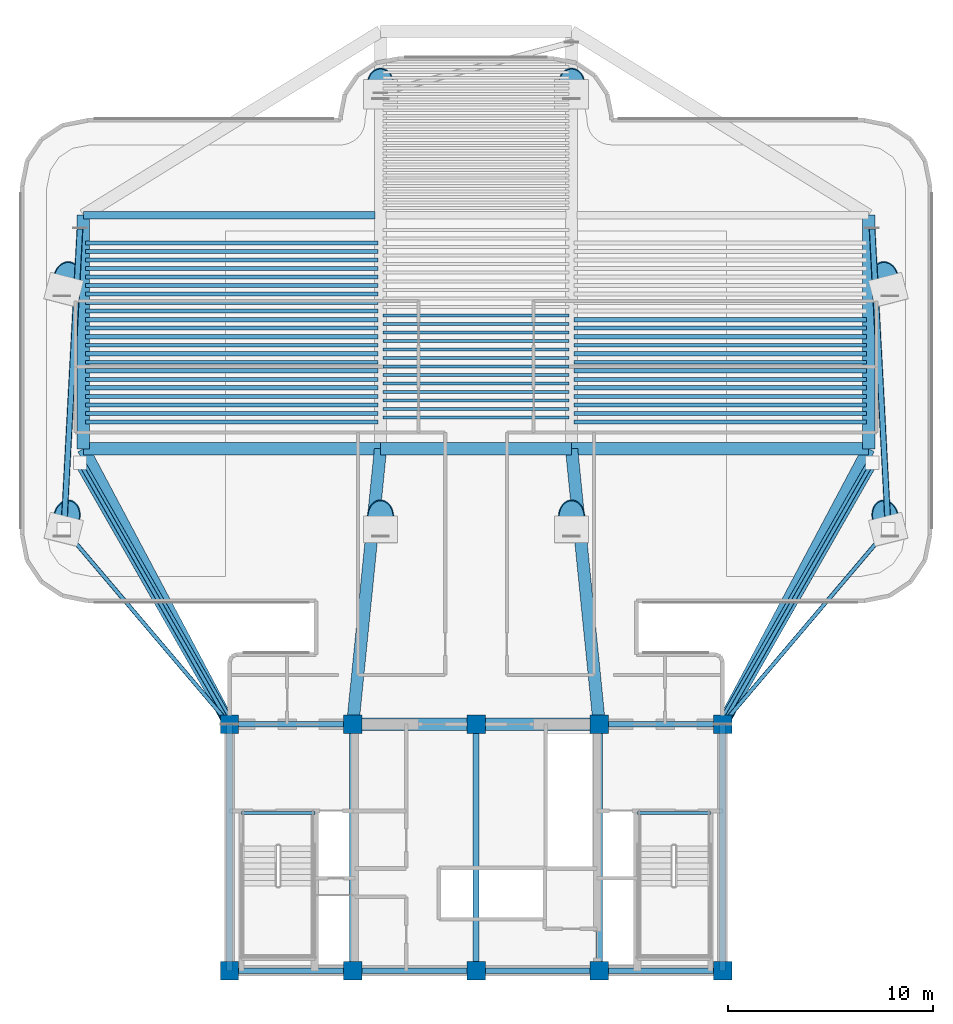
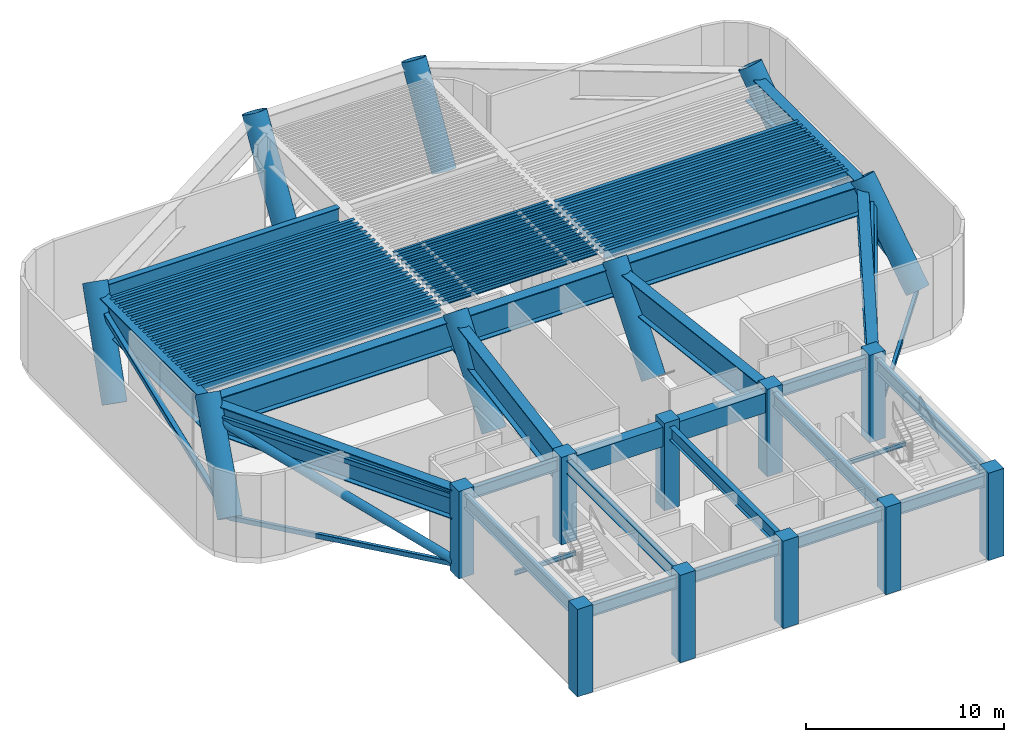
# One storey, part 1 of 10: 72 beams, 18 columns, 8 members.
"""IFC4 building model written with IfcOpenShell, lengths in metres."""

from ifc_helpers import new_model, si_unit, direction, frame, origin, origin_2d, place, context, subcontext, project, spatial, rectangle, hollow_rectangle, hollow_circle, i_section, extrude, source, transform, mapped, material, material_profile, profile_set, type_object, element, save


model = new_model("IFC4")

# Units and contexts
model_context = context("Model", 3, precision=1e-05, world=origin(), true_north=direction((0.0, 1.0)))
body_context = subcontext(model_context, "Body", "Model", "MODEL_VIEW")
ifc_project = project(units=[si_unit("LENGTHUNIT", "METRE"), si_unit("AREAUNIT", "SQUARE_METRE"), si_unit("VOLUMEUNIT", "CUBIC_METRE"), si_unit("PLANEANGLEUNIT", "RADIAN"), si_unit("MASSUNIT", "GRAM", prefix="KILO")], contexts=[model_context])

# Site, building, storey
site_placement = place(None, origin())
site = spatial("IfcSite", under=ifc_project, at=site_placement, CompositionType="ELEMENT")
building_placement = place(site_placement, origin())
building = spatial("IfcBuilding", under=site, at=building_placement, Name="Brelvock Crest Care Tower", CompositionType="ELEMENT")
storey_placement = place(building_placement, frame((0.0, 0.0, 146.52001953125)))
storey = spatial("IfcBuildingStorey", under=building, at=storey_placement, Name="L37", CompositionType="ELEMENT", Elevation=146.52001953125)

# Columns
ifc_material_1 = material(Name="Concrete S80 (80 MPa)", Category="concrete")
ifc_material_profile_1 = material_profile(ifc_material_1, rectangle(XDim=0.89990234375, YDim=0.89990234375, at=origin_2d()), Name="RC900x900")
ifc_profile_set_1 = profile_set([ifc_material_profile_1], Name="Concrete S80 (80 MPa)")
column_type_1 = type_object("IfcColumnType", Name="COL-RC2", PredefinedType="COLUMN", material=ifc_profile_set_1)
shared_shape_1 = source(origin(), body_context, "Body", "SweptSolid", [
    extrude(rectangle(XDim=0.89990234375, YDim=0.89990234375, at=origin_2d()), origin(), (0.0, 0.0, 1.0), 5.39990234375),
])
for number, where, z_axis, x_axis, name in (
    (1, (24.0, 6.0, 0.0), (0.0, 0.0, 1.0), (1.0, 0.0, 0.0), "L37 Core Column CC-01"),
    (2, (30.0, 6.0, 0.0), (0.0, 0.0, 1.0), (1.0, 0.0, 0.0), "L37 Core Column CC-02"),
    (3, (36.0, 6.0, 0.0), (0.0, 0.0, 1.0), (1.0, 0.0, 0.0), "L37 Core Column CC-03"),
    (4, (42.0, 6.0, 0.0), (0.0, 0.0, 1.0), (1.0, 0.0, 0.0), "L37 Core Column CC-04"),
    (5, (48.0, 6.0, 0.0), (0.0, 0.0, 1.0), (1.0, 0.0, 0.0), "L37 Core Column CC-05"),
    (6, (24.0, 18.0, 0.0), (0.0, 0.0, 1.0), (1.0, 0.0, 0.0), "L37 Core Column CC-06"),
    (7, (30.0, 18.0, 0.0), (0.0, 0.0, 1.0), (1.0, 0.0, 0.0), "L37 Core Column CC-07"),
    (8, (36.0, 18.0, 0.0), (0.0, 0.0, 1.0), (1.0, 0.0, 0.0), "L37 Core Column CC-08"),
    (9, (42.0, 18.0, 0.0), (0.0, 0.0, 1.0), (1.0, 0.0, 0.0), "L37 Core Column CC-09"),
    (10, (48.0, 18.0, 0.0), (0.0, 0.0, 1.0), (1.0, 0.0, 0.0), "L37 Core Column CC-10"),
):
    element("IfcColumn", number, at=place(storey_placement, frame(where, z_axis=z_axis, x_axis=x_axis)), inside=storey, type_object=column_type_1, Name=name, PredefinedType="COLUMN", context=body_context, shape_type="MappedRepresentation", body=[
        mapped(shared_shape_1, transform((0.0, 0.0, 0.0), x_axis=(1.0, 0.0, 0.0), y_axis=(0.0, 1.0, 0.0), z_axis=(0.0, 0.0, 1.0), scale=1.0)),
    ])
ifc_material_2 = material(Name="Steel Grade 350", Category="steel")
ifc_material_profile_2 = material_profile(ifc_material_2, hollow_circle(Radius=0.64990234375, WallThickness=0.044921875, at=origin_2d()), Name="CFT1300x45")
ifc_profile_set_2 = profile_set([ifc_material_profile_2], Name="Steel Grade 350")
column_type_2 = type_object("IfcColumnType", Name="COL-MC2", PredefinedType="COLUMN", material=ifc_profile_set_2)
shared_shape_2 = source(origin(), body_context, "Body", "SweptSolid", [
    extrude(hollow_circle(Radius=0.64990234375, WallThickness=0.044921875, at=origin_2d()), origin(), (0.0, 0.0, 1.0), 6.400634765625),
])
for number, where, z_axis, x_axis, name in (
    (11, (15.93212890625, 27.487548828125, 0.428466796875), (0.149100545965, 0.611964481829, 0.776703611536), (-0.971578452533, 0.236717786771, 0.0), "L37 Raked Mega-Column M1"),
    (12, (56.06787109375, 27.487548828125, 0.428466796875), (-0.149100545965, 0.611964481829, 0.776703611536), (-0.971578452533, -0.236717786771, 0.0), "L37 Raked Mega-Column M3"),
):
    element("IfcColumn", number, at=place(storey_placement, frame(where, z_axis=z_axis, x_axis=x_axis)), inside=storey, type_object=column_type_2, Name=name, PredefinedType="COLUMN", context=body_context, shape_type="MappedRepresentation", body=[
        mapped(shared_shape_2, transform((0.0, 0.0, 0.0), x_axis=(1.0, 0.0, 0.0), y_axis=(0.0, 1.0, 0.0), z_axis=(0.0, 0.0, 1.0), scale=1.0)),
    ])
shared_shape_3 = source(origin(), body_context, "Body", "SweptSolid", [
    extrude(hollow_circle(Radius=0.64990234375, WallThickness=0.044921875, at=origin_2d()), origin(), (0.0, 0.0, 1.0), 6.244384765625),
])
for number, where, z_axis, x_axis, name in (
    (13, (15.9287109375, 39.14794921875, 0.40966796875), (0.153380159115, 0.581225961103, 0.799156373265), (-0.96689991262, 0.255155950303, 0.0), "L37 Raked Mega-Column M2"),
    (14, (56.0712890625, 39.14794921875, 0.40966796875), (-0.153380159115, 0.581225961103, 0.799156373265), (-0.96689991262, -0.255155950303, 0.0), "L37 Raked Mega-Column M4"),
):
    element("IfcColumn", number, at=place(storey_placement, frame(where, z_axis=z_axis, x_axis=x_axis)), inside=storey, type_object=column_type_2, Name=name, PredefinedType="COLUMN", context=body_context, shape_type="MappedRepresentation", body=[
        mapped(shared_shape_3, transform((0.0, 0.0, 0.0), x_axis=(1.0, 0.0, 0.0), y_axis=(0.0, 1.0, 0.0), z_axis=(0.0, 0.0, 1.0), scale=1.0)),
    ])
shared_shape_4 = source(origin(), body_context, "Body", "SweptSolid", [
    extrude(hollow_circle(Radius=0.64990234375, WallThickness=0.044921875, at=origin_2d()), origin(), (0.0, 0.0, 1.0), 6.338134765625),
])
for number, where, z_axis, x_axis, name in (
    (15, (31.35009765625, 27.48193359375, 0.42138671875), (0.0, 0.618885910055, 0.785480891133), (-1.0, 0.0, 0.0), "L37 Raked Mega-Column M5"),
    (16, (40.64990234375, 27.48193359375, 0.42138671875), (0.0, 0.618885910055, 0.785480891133), (-1.0, 0.0, 0.0), "L37 Raked Mega-Column M6"),
):
    element("IfcColumn", number, at=place(storey_placement, frame(where, z_axis=z_axis, x_axis=x_axis)), inside=storey, type_object=column_type_2, Name=name, PredefinedType="COLUMN", context=body_context, shape_type="MappedRepresentation", body=[
        mapped(shared_shape_4, transform((0.0, 0.0, 0.0), x_axis=(1.0, 0.0, 0.0), y_axis=(0.0, 1.0, 0.0), z_axis=(0.0, 0.0, 1.0), scale=1.0)),
    ])
shared_shape_5 = source(origin(), body_context, "Body", "SweptSolid", [
    extrude(hollow_circle(Radius=0.64990234375, WallThickness=0.044921875, at=origin_2d()), origin(), (0.0, 0.0, 1.0), 5.89794921875),
])
for number, where, z_axis, x_axis, name in (
    (17, (31.35009765625, 48.665771484375, 0.35595703125), (0.0, 0.518295294297, 0.855201723519), (-1.0, 0.0, 0.0), "L37 Raked Mega-Column M7"),
    (18, (40.64990234375, 48.665771484375, 0.35595703125), (0.0, 0.518295294297, 0.855201723519), (-1.0, 0.0, 0.0), "L37 Raked Mega-Column M8"),
):
    element("IfcColumn", number, at=place(storey_placement, frame(where, z_axis=z_axis, x_axis=x_axis)), inside=storey, type_object=column_type_2, Name=name, PredefinedType="COLUMN", context=body_context, shape_type="MappedRepresentation", body=[
        mapped(shared_shape_5, transform((0.0, 0.0, 0.0), x_axis=(1.0, 0.0, 0.0), y_axis=(0.0, 1.0, 0.0), z_axis=(0.0, 0.0, 1.0), scale=1.0)),
    ])

# Beams
ifc_material_profile_3 = material_profile(ifc_material_1, rectangle(XDim=0.60009765625, YDim=1.199951171875, at=origin_2d()), Name="RC600x1200")
ifc_profile_set_3 = profile_set([ifc_material_profile_3], Name="Concrete S80 (80 MPa)")
beam_type_1 = type_object("IfcBeamType", Name="BM-LN1", PredefinedType="LINTEL", material=ifc_profile_set_3)
shared_shape_6 = source(origin(), body_context, "Body", "SweptSolid", [
    extrude(rectangle(XDim=0.60009765625, YDim=1.199951171875, at=origin_2d()), origin(), (0.0, 0.0, 1.0), 12.0),
])
beam_1_placement = place(storey_placement, frame((30.0, 18.0, 4.47998046875), z_axis=(1.0, 0.0, 0.0), x_axis=(0.0, 1.0, 0.0)))
element("IfcBeam", 19, at=beam_1_placement, inside=storey, type_object=beam_type_1, Name="L37 Core Coupling Lintel Beam", PredefinedType="LINTEL", context=body_context, shape_type="MappedRepresentation", body=[
    mapped(shared_shape_6, transform((0.0, 0.0, 0.0), x_axis=(1.0, 0.0, 0.0), y_axis=(0.0, 1.0, 0.0), z_axis=(0.0, 0.0, 1.0), scale=1.0)),
])
ifc_material_profile_4 = material_profile(ifc_material_2, i_section(OverallWidth=0.25, OverallDepth=0.699951171875, WebThickness=0.011962890625, FlangeThickness=0.02001953125, at=origin_2d()), Name="700WB150")
ifc_profile_set_4 = profile_set([ifc_material_profile_4], Name="Steel Grade 350")
beam_type_2 = type_object("IfcBeamType", Name="BM-G4", PredefinedType="BEAM", material=ifc_profile_set_4)
shared_shape_7 = source(origin(), body_context, "Body", "SweptSolid", [
    extrude(i_section(OverallWidth=0.25, OverallDepth=0.699951171875, WebThickness=0.011962890625, FlangeThickness=0.02001953125, at=origin_2d()), origin(), (0.0, 0.0, 1.0), 6.0),
])
for number, where, z_axis, x_axis, name in (
    (20, (24.0, 6.0, 4.72998046875), (1.0, 0.0, 0.0), (0.0, 1.0, 0.0), "BM-CORES-L37-1"),
    (21, (24.0, 18.0, 4.72998046875), (1.0, 0.0, 0.0), (0.0, 1.0, 0.0), "BM-COREN-L37-1"),
    (22, (30.0, 6.0, 4.72998046875), (1.0, 0.0, 0.0), (0.0, 1.0, 0.0), "BM-CORES-L37-2"),
    (23, (36.0, 6.0, 4.72998046875), (1.0, 0.0, 0.0), (0.0, 1.0, 0.0), "BM-CORES-L37-3"),
    (24, (42.0, 6.0, 4.72998046875), (1.0, 0.0, 0.0), (0.0, 1.0, 0.0), "BM-CORES-L37-4"),
    (25, (42.0, 18.0, 4.72998046875), (1.0, 0.0, 0.0), (0.0, 1.0, 0.0), "BM-COREN-L37-4"),
):
    element("IfcBeam", number, at=place(storey_placement, frame(where, z_axis=z_axis, x_axis=x_axis)), inside=storey, type_object=beam_type_2, Name=name, PredefinedType="BEAM", context=body_context, shape_type="MappedRepresentation", body=[
        mapped(shared_shape_7, transform((0.0, 0.0, 0.0), x_axis=(1.0, 0.0, 0.0), y_axis=(0.0, 1.0, 0.0), z_axis=(0.0, 0.0, 1.0), scale=1.0)),
    ])
ifc_material_profile_5 = material_profile(ifc_material_2, i_section(OverallWidth=0.300048828125, OverallDepth=0.800048828125, WebThickness=0.013916015625, FlangeThickness=0.02197265625, at=origin_2d()), Name="800WB192")
ifc_profile_set_5 = profile_set([ifc_material_profile_5], Name="Steel Grade 350")
beam_type_3 = type_object("IfcBeamType", Name="BM-G5", PredefinedType="BEAM", material=ifc_profile_set_5)
shared_shape_8 = source(origin(), body_context, "Body", "SweptSolid", [
    extrude(i_section(OverallWidth=0.300048828125, OverallDepth=0.800048828125, WebThickness=0.013916015625, FlangeThickness=0.02197265625, at=origin_2d()), origin(), (0.0, 0.0, 1.0), 12.0),
])
for number, where, z_axis, x_axis, name in (
    (26, (24.0, 6.0, 4.679931640625), (0.0, 1.0, 0.0), (-1.0, 0.0, 0.0), "BM-COREX-L37-1"),
    (27, (30.0, 6.0, 4.679931640625), (0.0, 1.0, 0.0), (-1.0, 0.0, 0.0), "BM-COREX-L37-2"),
    (28, (36.0, 6.0, 4.679931640625), (0.0, 1.0, 0.0), (-1.0, 0.0, 0.0), "BM-COREX-L37-3"),
    (29, (42.0, 6.0, 4.679931640625), (0.0, 1.0, 0.0), (-1.0, 0.0, 0.0), "BM-COREX-L37-4"),
    (30, (48.0, 6.0, 4.679931640625), (0.0, 1.0, 0.0), (-1.0, 0.0, 0.0), "BM-COREX-L37-5"),
):
    element("IfcBeam", number, at=place(storey_placement, frame(where, z_axis=z_axis, x_axis=x_axis)), inside=storey, type_object=beam_type_3, Name=name, PredefinedType="BEAM", context=body_context, shape_type="MappedRepresentation", body=[
        mapped(shared_shape_8, transform((0.0, 0.0, 0.0), x_axis=(1.0, 0.0, 0.0), y_axis=(0.0, 1.0, 0.0), z_axis=(0.0, 0.0, 1.0), scale=1.0)),
    ])
ifc_material_profile_6 = material_profile(ifc_material_2, i_section(OverallWidth=0.14599609375, OverallDepth=0.256103515625, WebThickness=0.00634765625, FlangeThickness=0.010986328125, FilletRadius=0.0087890625, at=origin_2d()), Name="250UB37.3")
ifc_profile_set_6 = profile_set([ifc_material_profile_6], Name="Steel Grade 350")
beam_type_4 = type_object("IfcBeamType", Name="BM-J3", PredefinedType="JOIST", material=ifc_profile_set_6)
shared_shape_9 = source(origin(), body_context, "Body", "SweptSolid", [
    extrude(i_section(OverallWidth=0.14599609375, OverallDepth=0.256103515625, WebThickness=0.00634765625, FlangeThickness=0.010986328125, FilletRadius=0.0087890625, at=origin_2d()), origin(), (0.0, 0.0, 1.0), 3.56982421875),
])
for number, where, z_axis, x_axis, name in (
    (31, (24.580078125, 13.679931640625, 2.3720703125), (1.0, 0.0, 0.0), (0.0, 1.0, 0.0), "BM-ST1L-L37"),
    (32, (43.85009765625, 13.679931640625, 2.3720703125), (1.0, 0.0, 0.0), (0.0, 1.0, 0.0), "BM-ST2L-L37"),
):
    element("IfcBeam", number, at=place(storey_placement, frame(where, z_axis=z_axis, x_axis=x_axis)), inside=storey, type_object=beam_type_4, Name=name, PredefinedType="JOIST", context=body_context, shape_type="MappedRepresentation", body=[
        mapped(shared_shape_9, transform((0.0, 0.0, 0.0), x_axis=(1.0, 0.0, 0.0), y_axis=(0.0, 1.0, 0.0), z_axis=(0.0, 0.0, 1.0), scale=1.0)),
    ])
ifc_material_profile_7 = material_profile(ifc_material_2, i_section(OverallWidth=0.60009765625, OverallDepth=1.800048828125, WebThickness=0.028076171875, FlangeThickness=0.052001953125, at=origin_2d()), Name="1800TG740")
ifc_profile_set_7 = profile_set([ifc_material_profile_7], Name="Steel Grade 350")
beam_type_5 = type_object("IfcBeamType", Name="BM-TG1", PredefinedType="USERDEFINED", material=ifc_profile_set_7)
shared_shape_10 = source(origin(), body_context, "Body", "SweptSolid", [
    extrude(i_section(OverallWidth=0.60009765625, OverallDepth=1.800048828125, WebThickness=0.028076171875, FlangeThickness=0.052001953125, at=origin_2d()), origin(), (0.0, 0.0, 1.0), 9.2998046875),
])
beam_2_placement = place(storey_placement, frame((31.35009765625, 31.404541015625, 4.179931640625), z_axis=(1.0, 0.0, 0.0), x_axis=(0.0, 1.0, 0.0)))
element("IfcBeam", 33, at=beam_2_placement, inside=storey, type_object=beam_type_5, Name="BM-TWR-L37-05", ObjectType="GIRDER", PredefinedType="USERDEFINED", context=body_context, shape_type="MappedRepresentation", body=[
    mapped(shared_shape_10, transform((0.0, 0.0, 0.0), x_axis=(1.0, 0.0, 0.0), y_axis=(0.0, 1.0, 0.0), z_axis=(0.0, 0.0, 1.0), scale=1.0)),
])
shared_shape_11 = source(origin(), body_context, "Body", "SweptSolid", [
    extrude(i_section(OverallWidth=0.14599609375, OverallDepth=0.256103515625, WebThickness=0.00634765625, FlangeThickness=0.010986328125, FilletRadius=0.0087890625, at=origin_2d()), origin(), (0.0, 0.0, 1.0), 9.06982421875),
])
for number, where, z_axis, x_axis, name in (
    (34, (31.465087890625, 32.919921875, 4.951904296875), (1.0, 0.0, 0.0), (0.0, 1.0, 0.0), "BM-JH-L37-3"),
    (35, (31.465087890625, 33.335205078125, 4.951904296875), (1.0, 0.0, 0.0), (0.0, 1.0, 0.0), "BM-JH-L37-4"),
    (36, (31.465087890625, 33.750244140625, 4.951904296875), (1.0, 0.0, 0.0), (0.0, 1.0, 0.0), "BM-JH-L37-5"),
    (37, (31.465087890625, 34.165283203125, 4.951904296875), (1.0, 0.0, 0.0), (0.0, 1.0, 0.0), "BM-JH-L37-6"),
    (38, (31.465087890625, 34.580322265625, 4.951904296875), (1.0, 0.0, 0.0), (0.0, 1.0, 0.0), "BM-JH-L37-7"),
    (39, (31.465087890625, 34.99560546875, 4.951904296875), (1.0, 0.0, 0.0), (0.0, 1.0, 0.0), "BM-JH-L37-8"),
    (40, (31.465087890625, 35.41064453125, 4.951904296875), (1.0, 0.0, 0.0), (0.0, 1.0, 0.0), "BM-JH-L37-9"),
    (41, (31.465087890625, 35.82568359375, 4.951904296875), (1.0, 0.0, 0.0), (0.0, 1.0, 0.0), "BM-JH-L37-10"),
    (42, (31.465087890625, 36.24072265625, 4.951904296875), (1.0, 0.0, 0.0), (0.0, 1.0, 0.0), "BM-JH-L37-11"),
    (43, (31.465087890625, 36.656005859375, 4.951904296875), (1.0, 0.0, 0.0), (0.0, 1.0, 0.0), "BM-JH-L37-12"),
    (44, (31.465087890625, 37.071044921875, 4.951904296875), (1.0, 0.0, 0.0), (0.0, 1.0, 0.0), "BM-JH-L37-13"),
    (45, (31.465087890625, 37.486083984375, 4.951904296875), (1.0, 0.0, 0.0), (0.0, 1.0, 0.0), "BM-JH-L37-14"),
    (46, (31.465087890625, 37.9013671875, 4.951904296875), (1.0, 0.0, 0.0), (0.0, 1.0, 0.0), "BM-JH-L37-15"),
):
    element("IfcBeam", number, at=place(storey_placement, frame(where, z_axis=z_axis, x_axis=x_axis)), inside=storey, type_object=beam_type_4, Name=name, PredefinedType="JOIST", context=body_context, shape_type="MappedRepresentation", body=[
        mapped(shared_shape_11, transform((0.0, 0.0, 0.0), x_axis=(1.0, 0.0, 0.0), y_axis=(0.0, 1.0, 0.0), z_axis=(0.0, 0.0, 1.0), scale=1.0)),
    ])
shared_shape_12 = source(origin(), body_context, "Body", "SweptSolid", [
    extrude(i_section(OverallWidth=0.60009765625, OverallDepth=1.800048828125, WebThickness=0.028076171875, FlangeThickness=0.052001953125, at=origin_2d()), origin(), (0.0, 0.0, 1.0), 11.372802734375),
])
for number, where, z_axis, x_axis, name in (
    (47, (16.886474609375, 31.404541015625, 4.179931640625), (0.0, 1.0, 0.0), (-1.0, 0.0, 0.0), "BM-TWR-L37-01"),
    (48, (55.113525390625, 31.404541015625, 4.179931640625), (0.0, 1.0, 0.0), (-1.0, 0.0, 0.0), "BM-TWR-L37-02"),
):
    element("IfcBeam", number, at=place(storey_placement, frame(where, z_axis=z_axis, x_axis=x_axis)), inside=storey, type_object=beam_type_5, Name=name, ObjectType="GIRDER", PredefinedType="USERDEFINED", context=body_context, shape_type="MappedRepresentation", body=[
        mapped(shared_shape_12, transform((0.0, 0.0, 0.0), x_axis=(1.0, 0.0, 0.0), y_axis=(0.0, 1.0, 0.0), z_axis=(0.0, 0.0, 1.0), scale=1.0)),
    ])
shared_shape_13 = source(origin(), body_context, "Body", "SweptSolid", [
    extrude(i_section(OverallWidth=0.60009765625, OverallDepth=1.800048828125, WebThickness=0.028076171875, FlangeThickness=0.052001953125, at=origin_2d()), origin(), (0.0, 0.0, 1.0), 14.463623046875),
])
for number, where, z_axis, x_axis, name in (
    (49, (16.886474609375, 31.404541015625, 4.179931640625), (1.0, 0.0, 0.0), (0.0, 1.0, 0.0), "BM-TWR-L37-03"),
    (50, (40.64990234375, 31.404541015625, 4.179931640625), (1.0, 0.0, 0.0), (0.0, 1.0, 0.0), "BM-TWR-L37-04"),
):
    element("IfcBeam", number, at=place(storey_placement, frame(where, z_axis=z_axis, x_axis=x_axis)), inside=storey, type_object=beam_type_5, Name=name, ObjectType="GIRDER", PredefinedType="USERDEFINED", context=body_context, shape_type="MappedRepresentation", body=[
        mapped(shared_shape_13, transform((0.0, 0.0, 0.0), x_axis=(1.0, 0.0, 0.0), y_axis=(0.0, 1.0, 0.0), z_axis=(0.0, 0.0, 1.0), scale=1.0)),
    ])
ifc_material_profile_8 = material_profile(ifc_material_2, i_section(OverallWidth=0.35009765625, OverallDepth=0.89990234375, WebThickness=0.01611328125, FlangeThickness=0.028076171875, at=origin_2d()), Name="900WB257")
ifc_profile_set_8 = profile_set([ifc_material_profile_8], Name="Steel Grade 350")
beam_type_6 = type_object("IfcBeamType", Name="BM-G6", PredefinedType="BEAM", material=ifc_profile_set_8)
shared_shape_14 = source(origin(), body_context, "Body", "SweptSolid", [
    extrude(i_section(OverallWidth=0.35009765625, OverallDepth=0.89990234375, WebThickness=0.01611328125, FlangeThickness=0.028076171875, at=origin_2d()), origin(), (0.0, 0.0, 1.0), 14.20361328125),
])
beam_3_placement = place(storey_placement, frame((16.886474609375, 42.77734375, 4.6298828125), z_axis=(1.0, 0.0, 0.0), x_axis=(0.0, 1.0, 0.0)))
element("IfcBeam", 51, at=beam_3_placement, inside=storey, type_object=beam_type_6, Name="BM-TIE-L37-W", PredefinedType="BEAM", context=body_context, shape_type="MappedRepresentation", body=[
    mapped(shared_shape_14, transform((0.0, 0.0, 0.0), x_axis=(1.0, 0.0, 0.0), y_axis=(0.0, 1.0, 0.0), z_axis=(0.0, 0.0, 1.0), scale=1.0)),
])
shared_shape_15 = source(origin(), body_context, "Body", "SweptSolid", [
    extrude(i_section(OverallWidth=0.60009765625, OverallDepth=1.800048828125, WebThickness=0.028076171875, FlangeThickness=0.052001953125, at=origin_2d()), origin(), (0.0, 0.0, 1.0), 13.472412109375),
])
for number, where, z_axis, x_axis, name in (
    (52, (30.0, 18.0, 4.179931640625), (0.10021240955, 0.994966066242, 0.0), (-0.994966066242, 0.10021240955, 0.0), "BM-THRW-L37"),
    (53, (42.0, 18.0, 4.179931640625), (-0.10021240955, 0.994966066242, 0.0), (-0.994966066242, -0.10021240955, 0.0), "BM-THRE-L37"),
):
    element("IfcBeam", number, at=place(storey_placement, frame(where, z_axis=z_axis, x_axis=x_axis)), inside=storey, type_object=beam_type_5, Name=name, ObjectType="GIRDER", PredefinedType="USERDEFINED", context=body_context, shape_type="MappedRepresentation", body=[
        mapped(shared_shape_15, transform((0.0, 0.0, 0.0), x_axis=(1.0, 0.0, 0.0), y_axis=(0.0, 1.0, 0.0), z_axis=(0.0, 0.0, 1.0), scale=1.0)),
    ])
shared_shape_16 = source(origin(), body_context, "Body", "SweptSolid", [
    extrude(i_section(OverallWidth=0.60009765625, OverallDepth=1.800048828125, WebThickness=0.028076171875, FlangeThickness=0.052001953125, at=origin_2d()), origin(), (0.0, 0.0, 1.0), 15.175048828125),
])
for number, where, z_axis, x_axis, name in (
    (54, (24.0, 18.0, 4.179931640625), (-0.468762690587, 0.883324142042, 0.0), (-0.883324142042, -0.468762690587, 0.0), "BM-THRO-W-L37"),
    (55, (48.0, 18.0, 4.179931640625), (0.468762690587, 0.883324142042, 0.0), (-0.883324142042, 0.468762690587, 0.0), "BM-THRO-E-L37"),
):
    element("IfcBeam", number, at=place(storey_placement, frame(where, z_axis=z_axis, x_axis=x_axis)), inside=storey, type_object=beam_type_5, Name=name, ObjectType="GIRDER", PredefinedType="USERDEFINED", context=body_context, shape_type="MappedRepresentation", body=[
        mapped(shared_shape_16, transform((0.0, 0.0, 0.0), x_axis=(1.0, 0.0, 0.0), y_axis=(0.0, 1.0, 0.0), z_axis=(0.0, 0.0, 1.0), scale=1.0)),
    ])
ifc_material_profile_9 = material_profile(ifc_material_2, i_section(OverallWidth=0.208984375, OverallDepth=0.532958984375, WebThickness=0.01025390625, FlangeThickness=0.015625, FilletRadius=0.013916015625, at=origin_2d()), Name="530UB92.4")
ifc_profile_set_9 = profile_set([ifc_material_profile_9], Name="Steel Grade 350")
beam_type_7 = type_object("IfcBeamType", Name="BM-G2", PredefinedType="BEAM", material=ifc_profile_set_9)
shared_shape_17 = source(origin(), body_context, "Body", "SweptSolid", [
    extrude(i_section(OverallWidth=0.208984375, OverallDepth=0.532958984375, WebThickness=0.01025390625, FlangeThickness=0.015625, FilletRadius=0.013916015625, at=origin_2d()), origin(), (0.0, 0.0, 1.0), 14.233642578125),
])
for number, where, z_axis, x_axis, name in (
    (56, (17.00146484375, 32.71240234375, 4.8134765625), (1.0, 0.0, 0.0), (0.0, 1.0, 0.0), "BM-JW-L37-3"),
    (57, (40.764892578125, 32.71240234375, 4.8134765625), (1.0, 0.0, 0.0), (0.0, 1.0, 0.0), "BM-JE-L37-3"),
    (58, (17.00146484375, 33.54248046875, 4.8134765625), (1.0, 0.0, 0.0), (0.0, 1.0, 0.0), "BM-JW-L37-5"),
    (59, (40.764892578125, 33.54248046875, 4.8134765625), (1.0, 0.0, 0.0), (0.0, 1.0, 0.0), "BM-JE-L37-5"),
    (60, (17.00146484375, 34.372802734375, 4.8134765625), (1.0, 0.0, 0.0), (0.0, 1.0, 0.0), "BM-JW-L37-7"),
    (61, (40.764892578125, 34.372802734375, 4.8134765625), (1.0, 0.0, 0.0), (0.0, 1.0, 0.0), "BM-JE-L37-7"),
    (62, (17.00146484375, 35.202880859375, 4.8134765625), (1.0, 0.0, 0.0), (0.0, 1.0, 0.0), "BM-JW-L37-9"),
    (63, (40.764892578125, 35.202880859375, 4.8134765625), (1.0, 0.0, 0.0), (0.0, 1.0, 0.0), "BM-JE-L37-9"),
    (64, (17.00146484375, 36.033203125, 4.8134765625), (1.0, 0.0, 0.0), (0.0, 1.0, 0.0), "BM-JW-L37-11"),
    (65, (40.764892578125, 36.033203125, 4.8134765625), (1.0, 0.0, 0.0), (0.0, 1.0, 0.0), "BM-JE-L37-11"),
    (66, (17.00146484375, 36.86328125, 4.8134765625), (1.0, 0.0, 0.0), (0.0, 1.0, 0.0), "BM-JW-L37-13"),
    (67, (40.764892578125, 36.86328125, 4.8134765625), (1.0, 0.0, 0.0), (0.0, 1.0, 0.0), "BM-JE-L37-13"),
    (68, (17.00146484375, 37.693603515625, 4.8134765625), (1.0, 0.0, 0.0), (0.0, 1.0, 0.0), "BM-JW-L37-15"),
    (69, (40.764892578125, 37.693603515625, 4.8134765625), (1.0, 0.0, 0.0), (0.0, 1.0, 0.0), "BM-JE-L37-15"),
    (70, (17.00146484375, 38.52392578125, 4.8134765625), (1.0, 0.0, 0.0), (0.0, 1.0, 0.0), "BM-JW-L37-17"),
    (71, (17.00146484375, 39.35400390625, 4.8134765625), (1.0, 0.0, 0.0), (0.0, 1.0, 0.0), "BM-JW-L37-19"),
    (72, (17.00146484375, 40.184326171875, 4.8134765625), (1.0, 0.0, 0.0), (0.0, 1.0, 0.0), "BM-JW-L37-21"),
    (73, (17.00146484375, 41.014404296875, 4.8134765625), (1.0, 0.0, 0.0), (0.0, 1.0, 0.0), "BM-JW-L37-23"),
):
    element("IfcBeam", number, at=place(storey_placement, frame(where, z_axis=z_axis, x_axis=x_axis)), inside=storey, type_object=beam_type_7, Name=name, PredefinedType="BEAM", context=body_context, shape_type="MappedRepresentation", body=[
        mapped(shared_shape_17, transform((0.0, 0.0, 0.0), x_axis=(1.0, 0.0, 0.0), y_axis=(0.0, 1.0, 0.0), z_axis=(0.0, 0.0, 1.0), scale=1.0)),
    ])
ifc_material_profile_10 = material_profile(ifc_material_2, i_section(OverallWidth=0.19091796875, OverallDepth=0.4599609375, WebThickness=0.010009765625, FlangeThickness=0.01611328125, FilletRadius=0.011474609375, at=origin_2d()), Name="460UB82.1")
ifc_profile_set_10 = profile_set([ifc_material_profile_10], Name="Steel Grade 350")
beam_type_8 = type_object("IfcBeamType", Name="BM-G3", PredefinedType="BEAM", material=ifc_profile_set_10)
shared_shape_18 = source(origin(), body_context, "Body", "SweptSolid", [
    extrude(i_section(OverallWidth=0.19091796875, OverallDepth=0.4599609375, WebThickness=0.010009765625, FlangeThickness=0.01611328125, FilletRadius=0.011474609375, at=origin_2d()), origin(), (0.0, 0.0, 1.0), 14.233642578125),
])
for number, where, z_axis, x_axis, name in (
    (74, (17.00146484375, 33.12744140625, 4.85009765625), (1.0, 0.0, 0.0), (0.0, 1.0, 0.0), "BM-JW-L37-4"),
    (75, (40.764892578125, 33.12744140625, 4.85009765625), (1.0, 0.0, 0.0), (0.0, 1.0, 0.0), "BM-JE-L37-4"),
    (76, (17.00146484375, 33.957763671875, 4.85009765625), (1.0, 0.0, 0.0), (0.0, 1.0, 0.0), "BM-JW-L37-6"),
    (77, (40.764892578125, 33.957763671875, 4.85009765625), (1.0, 0.0, 0.0), (0.0, 1.0, 0.0), "BM-JE-L37-6"),
    (78, (17.00146484375, 34.787841796875, 4.85009765625), (1.0, 0.0, 0.0), (0.0, 1.0, 0.0), "BM-JW-L37-8"),
    (79, (40.764892578125, 34.787841796875, 4.85009765625), (1.0, 0.0, 0.0), (0.0, 1.0, 0.0), "BM-JE-L37-8"),
    (80, (17.00146484375, 35.6181640625, 4.85009765625), (1.0, 0.0, 0.0), (0.0, 1.0, 0.0), "BM-JW-L37-10"),
    (81, (40.764892578125, 35.6181640625, 4.85009765625), (1.0, 0.0, 0.0), (0.0, 1.0, 0.0), "BM-JE-L37-10"),
    (82, (17.00146484375, 36.4482421875, 4.85009765625), (1.0, 0.0, 0.0), (0.0, 1.0, 0.0), "BM-JW-L37-12"),
    (83, (40.764892578125, 36.4482421875, 4.85009765625), (1.0, 0.0, 0.0), (0.0, 1.0, 0.0), "BM-JE-L37-12"),
    (84, (17.00146484375, 37.278564453125, 4.85009765625), (1.0, 0.0, 0.0), (0.0, 1.0, 0.0), "BM-JW-L37-14"),
    (85, (40.764892578125, 37.278564453125, 4.85009765625), (1.0, 0.0, 0.0), (0.0, 1.0, 0.0), "BM-JE-L37-14"),
    (86, (17.00146484375, 38.10888671875, 4.85009765625), (1.0, 0.0, 0.0), (0.0, 1.0, 0.0), "BM-JW-L37-16"),
    (87, (17.00146484375, 38.93896484375, 4.85009765625), (1.0, 0.0, 0.0), (0.0, 1.0, 0.0), "BM-JW-L37-18"),
    (88, (17.00146484375, 39.769287109375, 4.85009765625), (1.0, 0.0, 0.0), (0.0, 1.0, 0.0), "BM-JW-L37-20"),
    (89, (17.00146484375, 40.599365234375, 4.85009765625), (1.0, 0.0, 0.0), (0.0, 1.0, 0.0), "BM-JW-L37-22"),
    (90, (17.00146484375, 41.4296875, 4.85009765625), (1.0, 0.0, 0.0), (0.0, 1.0, 0.0), "BM-JW-L37-24"),
):
    element("IfcBeam", number, at=place(storey_placement, frame(where, z_axis=z_axis, x_axis=x_axis)), inside=storey, type_object=beam_type_8, Name=name, PredefinedType="BEAM", context=body_context, shape_type="MappedRepresentation", body=[
        mapped(shared_shape_18, transform((0.0, 0.0, 0.0), x_axis=(1.0, 0.0, 0.0), y_axis=(0.0, 1.0, 0.0), z_axis=(0.0, 0.0, 1.0), scale=1.0)),
    ])

# Members
ifc_material_profile_11 = material_profile(ifc_material_2, hollow_rectangle(XDim=0.199951171875, YDim=0.300048828125, WallThickness=0.010009765625, OuterFilletRadius=0.02001953125, at=origin_2d()), Name="RHS300x200x10.0")
ifc_profile_set_11 = profile_set([ifc_material_profile_11], Name="Steel Grade 350")
member_type_1 = type_object("IfcMemberType", Name="MEM-CH2", PredefinedType="CHORD", material=ifc_profile_set_11)
shared_shape_19 = source(origin(), body_context, "Body", "SweptSolid", [
    extrude(hollow_rectangle(XDim=0.199951171875, YDim=0.300048828125, WallThickness=0.010009765625, OuterFilletRadius=0.02001953125, at=origin_2d()), origin(), (0.0, 0.0, 1.0), 12.464111328125),
])
for number, where, z_axis, x_axis, name in (
    (91, (24.0, 18.0, 0.449951171875), (-0.646948804063, 0.762533438559, 0.0), (-0.762533438559, -0.646948804063, 0.0), "L37 Outrigger Bottom Chord W1"),
    (92, (48.0, 18.0, 0.449951171875), (0.646948804063, 0.762533438559, 0.0), (-0.762533438559, 0.646948804063, 0.0), "L37 Outrigger Bottom Chord E1"),
):
    element("IfcMember", number, at=place(storey_placement, frame(where, z_axis=z_axis, x_axis=x_axis)), inside=storey, type_object=member_type_1, Name=name, PredefinedType="CHORD", context=body_context, shape_type="MappedRepresentation", body=[
        mapped(shared_shape_19, transform((0.0, 0.0, 0.0), x_axis=(1.0, 0.0, 0.0), y_axis=(0.0, 1.0, 0.0), z_axis=(0.0, 0.0, 1.0), scale=1.0)),
    ])
shared_shape_20 = source(origin(), body_context, "Body", "SweptSolid", [
    extrude(hollow_rectangle(XDim=0.199951171875, YDim=0.300048828125, WallThickness=0.010009765625, OuterFilletRadius=0.02001953125, at=origin_2d()), origin(), (0.0, 0.0, 1.0), 14.6552734375),
])
for number, where, z_axis, x_axis, name in (
    (93, (24.0, 18.0, 4.530029296875), (-0.496782857707, 0.867874871331, 0.0), (-0.867874871331, -0.496782857707, 0.0), "L37 Outrigger Top Chord W1"),
    (94, (48.0, 18.0, 4.530029296875), (0.496782857707, 0.867874871331, 0.0), (-0.867874871331, 0.496782857707, 0.0), "L37 Outrigger Top Chord E1"),
):
    element("IfcMember", number, at=place(storey_placement, frame(where, z_axis=z_axis, x_axis=x_axis)), inside=storey, type_object=member_type_1, Name=name, PredefinedType="CHORD", context=body_context, shape_type="MappedRepresentation", body=[
        mapped(shared_shape_20, transform((0.0, 0.0, 0.0), x_axis=(1.0, 0.0, 0.0), y_axis=(0.0, 1.0, 0.0), z_axis=(0.0, 0.0, 1.0), scale=1.0)),
    ])
ifc_material_3 = material(Name="Steel Grade 450", Category="steel")
ifc_material_profile_12 = material_profile(ifc_material_3, hollow_circle(Radius=0.25390625, WallThickness=0.02001953125, at=origin_2d()), Name="CHS508x20.0")
ifc_profile_set_12 = profile_set([ifc_material_profile_12], Name="Steel Grade 450")
member_type_2 = type_object("IfcMemberType", Name="MEM-BR2", PredefinedType="BRACE", material=ifc_profile_set_12)
shared_shape_21 = source(origin(), body_context, "Body", "SweptSolid", [
    extrude(hollow_circle(Radius=0.25390625, WallThickness=0.02001953125, at=origin_2d()), origin(), (0.0, 0.0, 1.0), 15.212646484375),
])
for number, where, z_axis, x_axis, name in (
    (95, (24.0, 18.0, 0.449951171875), (-0.478582023246, 0.836078188694, 0.268202366537), (-0.867874871331, -0.496782857707, 0.0), "L37 Outrigger Diagonal Brace W1-D1"),
    (96, (48.0, 18.0, 0.449951171875), (0.478582023246, 0.836078188694, 0.268202366537), (-0.867874871331, 0.496782857707, 0.0), "L37 Outrigger Diagonal Brace E1-D1"),
):
    element("IfcMember", number, at=place(storey_placement, frame(where, z_axis=z_axis, x_axis=x_axis)), inside=storey, type_object=member_type_2, Name=name, PredefinedType="BRACE", context=body_context, shape_type="MappedRepresentation", body=[
        mapped(shared_shape_21, transform((0.0, 0.0, 0.0), x_axis=(1.0, 0.0, 0.0), y_axis=(0.0, 1.0, 0.0), z_axis=(0.0, 0.0, 1.0), scale=1.0)),
    ])
ifc_material_profile_13 = material_profile(ifc_material_2, hollow_rectangle(XDim=0.300048828125, YDim=0.300048828125, WallThickness=0.01611328125, OuterFilletRadius=0.031982421875, at=origin_2d()), Name="SHS300x300x16.0")
ifc_profile_set_13 = profile_set([ifc_material_profile_13], Name="Steel Grade 350")
member_type_3 = type_object("IfcMemberType", Name="MEM-BR4", PredefinedType="BRACE", material=ifc_profile_set_13)
shared_shape_22 = source(origin(), body_context, "Body", "SweptSolid", [
    extrude(hollow_rectangle(XDim=0.300048828125, YDim=0.300048828125, WallThickness=0.01611328125, OuterFilletRadius=0.031982421875, at=origin_2d()), origin(), (0.0, 0.0, 1.0), 15.21826171875),
])
for number, where, z_axis, x_axis, name in (
    (97, (15.936279296875, 27.50439453125, 0.449951171875), (0.051464850432, 0.962014096327, 0.268104919085), (-0.998572100657, 0.053420593318, 0.0), "L37 Belt Truss Brace BW-1"),
    (98, (56.063720703125, 27.50439453125, 0.449951171875), (-0.051464850432, 0.962014096327, 0.268104919085), (-0.998572100657, -0.053420593318, 0.0), "L37 Belt Truss Brace BE-1"),
):
    element("IfcMember", number, at=place(storey_placement, frame(where, z_axis=z_axis, x_axis=x_axis)), inside=storey, type_object=member_type_3, Name=name, PredefinedType="BRACE", context=body_context, shape_type="MappedRepresentation", body=[
        mapped(shared_shape_22, transform((0.0, 0.0, 0.0), x_axis=(1.0, 0.0, 0.0), y_axis=(0.0, 1.0, 0.0), z_axis=(0.0, 0.0, 1.0), scale=1.0)),
    ])

save(model, "model.ifc")
